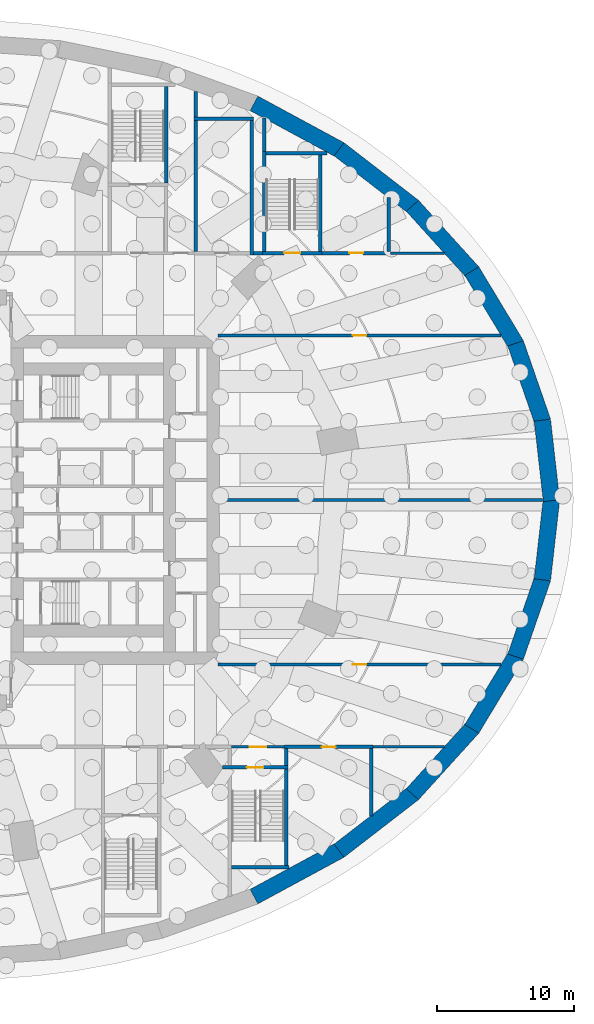
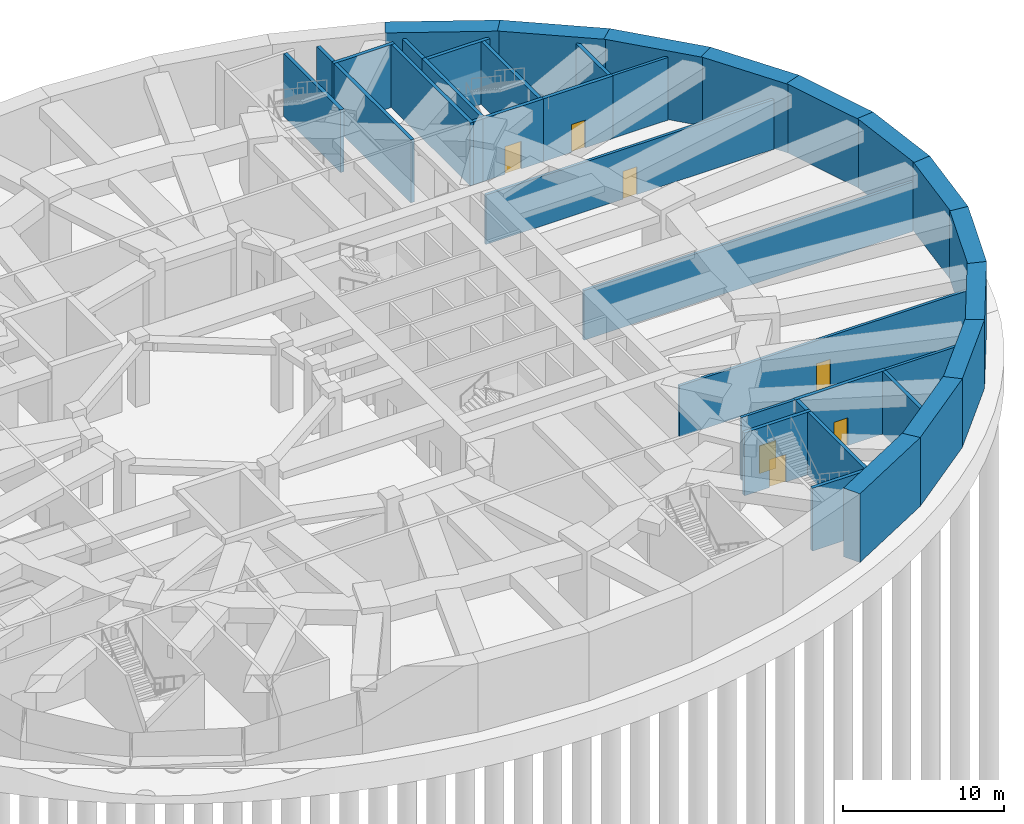
# One storey, part 11 of 18: 37 walls, 7 doors, 7 openings.
"""IFC4 building model written with IfcOpenShell, lengths in metres."""

from ifc_helpers import new_model, si_unit, direction, frame, frame_2d, origin, place, context, subcontext, project, spatial, rectangle, extrude, material, layer, layer_set, type_object, element, fill, save


model = new_model("IFC4")

# Units and contexts
model_context = context("Model", 3, precision=1e-05, world=origin(), true_north=direction((0.0, 1.0)))
body_context = subcontext(model_context, "Body", "Model", "MODEL_VIEW")
ifc_project = project(units=[si_unit("LENGTHUNIT", "METRE"), si_unit("AREAUNIT", "SQUARE_METRE"), si_unit("VOLUMEUNIT", "CUBIC_METRE"), si_unit("PLANEANGLEUNIT", "RADIAN"), si_unit("MASSUNIT", "GRAM", prefix="KILO")], contexts=[model_context])

# Site, building, storey
site_placement = place(None, origin())
site = spatial("IfcSite", under=ifc_project, at=site_placement, CompositionType="ELEMENT")
building_placement = place(site_placement, origin())
building = spatial("IfcBuilding", under=site, at=building_placement, Name="Taillehof Tower", CompositionType="ELEMENT")
storey_placement = place(building_placement, frame((0.0, 0.0, -10.39990234375)))
storey = spatial("IfcBuildingStorey", under=building, at=storey_placement, Name="B2", CompositionType="ELEMENT", Elevation=-10.39990234375)

# Wall, opening, door
ifc_material_1 = material(Name="Calcium silicate blockwork", Category="masonry")
ifc_layer_1 = layer(ifc_material_1, 0.199951171875)
ifc_layer_set_1 = layer_set([ifc_layer_1], Name="Compartment wall EI 60 200 mm")
wall_type_1 = type_object("IfcWallType", Name="Compartment wall EI 60 200 mm", PredefinedType="PARTITIONING", material=ifc_layer_set_1)
wall_1_placement = place(storey_placement, frame((20.074951171875, -18.0, 0.0), z_axis=(0.0, 0.0, 1.0), x_axis=(1.0, 0.0, 0.0)))
wall_1 = element("IfcWall", 1, at=wall_1_placement, inside=storey, type_object=wall_type_1, Name="Wall B2-14 / B2-29", PredefinedType="PARTITIONING", context=body_context, shape_type="SweptSolid", body=[
    extrude(rectangle(XDim=3.85009765625, YDim=0.199951171875, at=frame_2d((1.925048828125, 0.0))), origin(), (0.0, 0.0, 1.0), 4.75),
])
opening_1_placement = place(wall_1_placement, frame((1.324951171875, 0.0, 0.0)))
opening_1 = element("IfcOpeningElement", 2, at=opening_1_placement, cuts=wall_1, Name="Opening DB250", PredefinedType="OPENING", context=body_context, shape_type="SweptSolid", body=[
    extrude(rectangle(XDim=1.199951171875, YDim=2.10009765625, at=frame_2d((0.60009765625, 1.050048828125))), frame((0.0, 0.10986328125, 0.0), z_axis=(0.0, -1.0, 0.0), x_axis=(1.0, 0.0, 0.0)), (0.0, 0.0, 1.0), 0.219970703125),
])
ifc_material_2 = material(Name="Hollow metal door set")
door_type_1 = type_object("IfcDoorType", Name="Single door 1200 x 2100 FD60S", OperationType="SINGLE_SWING_LEFT", PredefinedType="DOOR", material=ifc_material_2)
door_1_placement = place(opening_1_placement, origin())
door_1 = element("IfcDoor", 3, at=door_1_placement, inside=storey, type_object=door_type_1, Name="Door DB250", OperationType="SINGLE_SWING_RIGHT", OverallHeight=2.10009765625, OverallWidth=1.199951171875, PredefinedType="DOOR", context=body_context, shape_type="SweptSolid", body=[
    extrude(rectangle(XDim=1.199951171875, YDim=2.10009765625, at=frame_2d((0.60009765625, 1.050048828125))), frame((0.0, 0.02490234375, 0.0), z_axis=(0.0, -1.0, 0.0), x_axis=(1.0, 0.0, 0.0)), (0.0, 0.0, 1.0), 0.050048828125),
])
fill(opening_1, door_1)

# Wall
wall_2_placement = place(storey_placement, frame((30.39990234375, -18.0, 0.0), z_axis=(0.0, 0.0, 1.0), x_axis=(1.0, 0.0, 0.0)))
element("IfcWall", 4, at=wall_2_placement, inside=storey, type_object=wall_type_1, Name="Wall B2-14 / B2-31", PredefinedType="PARTITIONING", context=body_context, shape_type="SweptSolid", body=[
    extrude(rectangle(XDim=5.20556640625, YDim=0.199951171875, at=frame_2d((2.602783203125, 0.0))), origin(), (0.0, 0.0, 1.0), 4.75),
])

# Wall, opening, door
wall_3_placement = place(storey_placement, frame((19.10009765625, -12.0, 0.0), z_axis=(0.0, 0.0, 1.0), x_axis=(1.0, 0.0, 0.0)))
wall_3 = element("IfcWall", 5, at=wall_3_placement, inside=storey, type_object=wall_type_1, Name="Wall B2-14 / B2-33", PredefinedType="PARTITIONING", context=body_context, shape_type="SweptSolid", body=[
    extrude(rectangle(XDim=20.625, YDim=0.199951171875, at=frame_2d((10.3125, 0.0))), origin(), (0.0, 0.0, 1.0), 3.849853515625),
])
opening_2_placement = place(wall_3_placement, frame((9.81298828125, 0.0, 0.0)))
opening_2 = element("IfcOpeningElement", 6, at=opening_2_placement, cuts=wall_3, Name="Opening DB258", PredefinedType="OPENING", context=body_context, shape_type="SweptSolid", body=[
    extrude(rectangle(XDim=1.0, YDim=2.10009765625, at=frame_2d((0.5, 1.050048828125))), frame((0.0, 0.10986328125, 0.0), z_axis=(0.0, -1.0, 0.0), x_axis=(1.0, 0.0, 0.0)), (0.0, 0.0, 1.0), 0.219970703125),
])
ifc_material_3 = material(Name="Hollow metal door set")
door_type_2 = type_object("IfcDoorType", Name="Single door 1000 x 2100 FD60S", OperationType="SINGLE_SWING_LEFT", PredefinedType="DOOR", material=ifc_material_3)
door_2_placement = place(opening_2_placement, origin())
door_2 = element("IfcDoor", 7, at=door_2_placement, inside=storey, type_object=door_type_2, Name="Door DB258", OperationType="SINGLE_SWING_LEFT", OverallHeight=2.10009765625, OverallWidth=1.0, PredefinedType="DOOR", context=body_context, shape_type="SweptSolid", body=[
    extrude(rectangle(XDim=1.0, YDim=2.10009765625, at=frame_2d((0.5, 1.050048828125))), frame((0.0, 0.02490234375, 0.0), z_axis=(0.0, -1.0, 0.0), x_axis=(1.0, 0.0, 0.0)), (0.0, 0.0, 1.0), 0.050048828125),
])
fill(opening_2, door_2)

# Wall
wall_4_placement = place(storey_placement, frame((19.197998046875, 0.0, 0.0), z_axis=(0.0, 0.0, 1.0), x_axis=(1.0, 0.0, 0.0)))
element("IfcWall", 8, at=wall_4_placement, inside=storey, type_object=wall_type_1, Name="Wall B2-32 / B2-33", PredefinedType="PARTITIONING", context=body_context, shape_type="SweptSolid", body=[
    extrude(rectangle(XDim=23.5458984375, YDim=0.199951171875, at=frame_2d((11.77294921875, 0.0))), origin(), (0.0, 0.0, 1.0), 3.75),
])

# Wall, opening, door
wall_5_placement = place(storey_placement, frame((19.10009765625, 12.0, 0.0), z_axis=(0.0, 0.0, 1.0), x_axis=(1.0, 0.0, 0.0)))
wall_5 = element("IfcWall", 9, at=wall_5_placement, inside=storey, type_object=wall_type_1, Name="Wall B2-13 / B2-32", PredefinedType="PARTITIONING", context=body_context, shape_type="SweptSolid", body=[
    extrude(rectangle(XDim=20.625, YDim=0.199951171875, at=frame_2d((10.3125, 0.0))), origin(), (0.0, 0.0, 1.0), 3.75),
])
opening_3_placement = place(wall_5_placement, frame((9.81298828125, 0.0, 0.0)))
opening_3 = element("IfcOpeningElement", 10, at=opening_3_placement, cuts=wall_5, Name="Opening DB263", PredefinedType="OPENING", context=body_context, shape_type="SweptSolid", body=[
    extrude(rectangle(XDim=1.0, YDim=2.10009765625, at=frame_2d((0.5, 1.050048828125))), frame((0.0, 0.10986328125, 0.0), z_axis=(0.0, -1.0, 0.0), x_axis=(1.0, 0.0, 0.0)), (0.0, 0.0, 1.0), 0.219970703125),
])
door_3_placement = place(opening_3_placement, origin())
door_3 = element("IfcDoor", 11, at=door_3_placement, inside=storey, type_object=door_type_2, Name="Door DB263", OperationType="SINGLE_SWING_LEFT", OverallHeight=2.10009765625, OverallWidth=1.0, PredefinedType="DOOR", context=body_context, shape_type="SweptSolid", body=[
    extrude(rectangle(XDim=1.0, YDim=2.10009765625, at=frame_2d((0.5, 1.050048828125))), frame((0.0, 0.02490234375, 0.0), z_axis=(0.0, -1.0, 0.0), x_axis=(1.0, 0.0, 0.0)), (0.0, 0.0, 1.0), 0.050048828125),
])
fill(opening_3, door_3)

# Walls
wall_6_placement = place(storey_placement, frame((31.64990234375, 18.0, 0.0), z_axis=(0.0, 0.0, 1.0), x_axis=(1.0, 0.0, 0.0)))
element("IfcWall", 12, at=wall_6_placement, inside=storey, type_object=wall_type_1, Name="Wall B2-13 / B2-22", PredefinedType="PARTITIONING", context=body_context, shape_type="SweptSolid", body=[
    extrude(rectangle(XDim=3.95556640625, YDim=0.199951171875, at=frame_2d((1.977783203125, 0.0))), origin(), (0.0, 0.0, 1.0), 4.75),
])
ifc_material_4 = material(Name="Concrete C35/45", Category="concrete")
ifc_layer_2 = layer(ifc_material_4, 1.199951171875)
ifc_layer_set_2 = layer_set([ifc_layer_2], Name="Diaphragm wall 1200")
wall_type_2 = type_object("IfcWallType", Name="Diaphragm wall 1200", PredefinedType="USERDEFINED", material=ifc_layer_set_2)
wall_7_placement = place(storey_placement, frame((43.402099609375, -0.05224609375, 0.0), z_axis=(0.0, 0.0, 1.0), x_axis=(-0.112525170728, 0.993648874579, 0.0)))
element("IfcWall", 13, at=wall_7_placement, inside=storey, type_object=wall_type_2, Name="Diaphragm wall DW01", ObjectType="Retaining wall", PredefinedType="USERDEFINED", context=body_context, shape_type="SweptSolid", body=[
    extrude(rectangle(XDim=5.912353515625, YDim=1.199951171875, at=frame_2d((2.9560546875, 0.0))), origin(), (0.0, 0.0, 1.0), 5.199951171875),
])
wall_8_placement = place(storey_placement, frame((42.760009765625, 5.720703125, 0.0), z_axis=(0.0, 0.0, 1.0), x_axis=(-0.327626042927, 0.944807480917, 0.0)))
element("IfcWall", 14, at=wall_8_placement, inside=storey, type_object=wall_type_2, Name="Diaphragm wall DW02", ObjectType="Retaining wall", PredefinedType="USERDEFINED", context=body_context, shape_type="SweptSolid", body=[
    extrude(rectangle(XDim=6.034423828125, YDim=1.199951171875, at=frame_2d((3.01708984375, 0.0))), origin(), (0.0, 0.0, 1.0), 5.199951171875),
])
wall_9_placement = place(storey_placement, frame((40.827392578125, 11.32763671875, 0.0), z_axis=(0.0, 0.0, 1.0), x_axis=(-0.516691596258, 0.856171591655, 0.0)))
element("IfcWall", 15, at=wall_9_placement, inside=storey, type_object=wall_type_2, Name="Diaphragm wall DW03", ObjectType="Retaining wall", PredefinedType="USERDEFINED", context=body_context, shape_type="SweptSolid", body=[
    extrude(rectangle(XDim=6.25732421875, YDim=1.199951171875, at=frame_2d((3.128662109375, 0.0))), origin(), (0.0, 0.0, 1.0), 5.199951171875),
])
wall_10_placement = place(storey_placement, frame((37.65673828125, 16.601318359375, 0.0), z_axis=(0.0, 0.0, 1.0), x_axis=(-0.671487423502, 0.741015951299, 0.0)))
element("IfcWall", 16, at=wall_10_placement, inside=storey, type_object=wall_type_2, Name="Diaphragm wall DW04", ObjectType="Retaining wall", PredefinedType="USERDEFINED", context=body_context, shape_type="SweptSolid", body=[
    extrude(rectangle(XDim=6.545166015625, YDim=1.199951171875, at=frame_2d((3.2724609375, 0.0))), origin(), (0.0, 0.0, 1.0), 5.199951171875),
])
wall_11_placement = place(storey_placement, frame((33.338623046875, 21.38037109375, 0.0), z_axis=(0.0, 0.0, 1.0), x_axis=(-0.791286567459, 0.611445474396, 0.0)))
element("IfcWall", 17, at=wall_11_placement, inside=storey, type_object=wall_type_2, Name="Diaphragm wall DW05", ObjectType="Retaining wall", PredefinedType="USERDEFINED", context=body_context, shape_type="SweptSolid", body=[
    extrude(rectangle(XDim=6.85693359375, YDim=1.199951171875, at=frame_2d((3.428466796875, 0.0))), origin(), (0.0, 0.0, 1.0), 5.199951171875),
])
for number, where, z_axis, x_axis, name in (
    (18, (28.00048828125, 25.51611328125, 0.0), (0.0, 0.0, 1.0), (-0.879519330959, 0.475863159394, 0.0), "Diaphragm wall DW06"),
    (19, (21.7080078125, -28.920654296875, 0.0), (0.0, 0.0, 1.0), (0.879519330959, 0.475863159394, 0.0), "Diaphragm wall DW31"),
):
    element("IfcWall", number, at=place(storey_placement, frame(where, z_axis=z_axis, x_axis=x_axis)), inside=storey, type_object=wall_type_2, Name=name, ObjectType="Retaining wall", PredefinedType="USERDEFINED", context=body_context, shape_type="SweptSolid", body=[
        extrude(rectangle(XDim=7.154541015625, YDim=1.199951171875, at=frame_2d((3.5771484375, 0.0))), origin(), (0.0, 0.0, 1.0), 5.199951171875),
    ])
wall_12_placement = place(storey_placement, frame((27.912841796875, -25.572998046875, 0.0), z_axis=(0.0, 0.0, 1.0), x_axis=(0.791286567459, 0.611445474396, 0.0)))
element("IfcWall", 20, at=wall_12_placement, inside=storey, type_object=wall_type_2, Name="Diaphragm wall DW32", ObjectType="Retaining wall", PredefinedType="USERDEFINED", context=body_context, shape_type="SweptSolid", body=[
    extrude(rectangle(XDim=6.85693359375, YDim=1.199951171875, at=frame_2d((3.428466796875, 0.0))), origin(), (0.0, 0.0, 1.0), 5.199951171875),
])
wall_13_placement = place(storey_placement, frame((33.26171875, -21.451416015625, 0.0), z_axis=(0.0, 0.0, 1.0), x_axis=(0.671487423502, 0.741015951299, 0.0)))
element("IfcWall", 21, at=wall_13_placement, inside=storey, type_object=wall_type_2, Name="Diaphragm wall DW33", ObjectType="Retaining wall", PredefinedType="USERDEFINED", context=body_context, shape_type="SweptSolid", body=[
    extrude(rectangle(XDim=6.545166015625, YDim=1.199951171875, at=frame_2d((3.2724609375, 0.0))), origin(), (0.0, 0.0, 1.0), 5.199951171875),
])
wall_14_placement = place(storey_placement, frame((37.59423828125, -16.68505859375, 0.0), z_axis=(0.0, 0.0, 1.0), x_axis=(0.516691596258, 0.856171591655, 0.0)))
element("IfcWall", 22, at=wall_14_placement, inside=storey, type_object=wall_type_2, Name="Diaphragm wall DW34", ObjectType="Retaining wall", PredefinedType="USERDEFINED", context=body_context, shape_type="SweptSolid", body=[
    extrude(rectangle(XDim=6.25732421875, YDim=1.199951171875, at=frame_2d((3.128662109375, 0.0))), origin(), (0.0, 0.0, 1.0), 5.199951171875),
])
wall_15_placement = place(storey_placement, frame((40.782958984375, -11.422119140625, 0.0), z_axis=(0.0, 0.0, 1.0), x_axis=(0.327626042927, 0.944807480917, 0.0)))
element("IfcWall", 23, at=wall_15_placement, inside=storey, type_object=wall_type_2, Name="Diaphragm wall DW35", ObjectType="Retaining wall", PredefinedType="USERDEFINED", context=body_context, shape_type="SweptSolid", body=[
    extrude(rectangle(XDim=6.034423828125, YDim=1.199951171875, at=frame_2d((3.01708984375, 0.0))), origin(), (0.0, 0.0, 1.0), 5.199951171875),
])
wall_16_placement = place(storey_placement, frame((42.73681640625, -5.822509765625, 0.0), z_axis=(0.0, 0.0, 1.0), x_axis=(0.112525170728, 0.993648874579, 0.0)))
element("IfcWall", 24, at=wall_16_placement, inside=storey, type_object=wall_type_2, Name="Diaphragm wall DW36", ObjectType="Retaining wall", PredefinedType="USERDEFINED", context=body_context, shape_type="SweptSolid", body=[
    extrude(rectangle(XDim=5.912353515625, YDim=1.199951171875, at=frame_2d((2.9560546875, 0.0))), origin(), (0.0, 0.0, 1.0), 5.199951171875),
])

# Wall, opening, door
ifc_material_5 = material(Name="Calcium silicate blockwork", Category="masonry")
ifc_layer_3 = layer(ifc_material_5, 0.25)
ifc_layer_set_3 = layer_set([ifc_layer_3], Name="Fire-resisting wall EI 120 250 mm")
wall_type_3 = type_object("IfcWallType", Name="Fire-resisting wall EI 120 250 mm", PredefinedType="PARTITIONING", material=ifc_layer_set_3)
wall_17_placement = place(storey_placement, frame((23.925048828125, -18.0, 0.0), z_axis=(0.0, 0.0, 1.0), x_axis=(1.0, 0.0, 0.0)))
wall_17 = element("IfcWall", 25, at=wall_17_placement, inside=storey, type_object=wall_type_3, Name="Wall B2-14 / B2-30", PredefinedType="PARTITIONING", context=body_context, shape_type="SweptSolid", body=[
    extrude(rectangle(XDim=6.474853515625, YDim=0.25, at=frame_2d((3.2373046875, 0.0))), origin(), (0.0, 0.0, 1.0), 4.75),
])
opening_4_placement = place(wall_17_placement, frame((2.738037109375, 0.0, 0.0)))
opening_4 = element("IfcOpeningElement", 26, at=opening_4_placement, cuts=wall_17, Name="Opening DB251", PredefinedType="OPENING", context=body_context, shape_type="SweptSolid", body=[
    extrude(rectangle(XDim=1.0, YDim=2.10009765625, at=frame_2d((0.5, 1.050048828125))), frame((0.0, 0.135009765625, 0.0), z_axis=(0.0, -1.0, 0.0), x_axis=(1.0, 0.0, 0.0)), (0.0, 0.0, 1.0), 0.27001953125),
])
ifc_material_6 = material(Name="Hollow metal door set")
door_type_3 = type_object("IfcDoorType", Name="Single door 1000 x 2100 FD120S", OperationType="SINGLE_SWING_LEFT", PredefinedType="DOOR", material=ifc_material_6)
door_4_placement = place(opening_4_placement, origin())
door_4 = element("IfcDoor", 27, at=door_4_placement, inside=storey, type_object=door_type_3, Name="Door DB251", OperationType="SINGLE_SWING_LEFT", OverallHeight=2.10009765625, OverallWidth=1.0, PredefinedType="DOOR", context=body_context, shape_type="SweptSolid", body=[
    extrude(rectangle(XDim=1.0, YDim=2.10009765625, at=frame_2d((0.5, 1.050048828125))), frame((0.0, 0.02490234375, 0.0), z_axis=(0.0, -1.0, 0.0), x_axis=(1.0, 0.0, 0.0)), (0.0, 0.0, 1.0), 0.050048828125),
])
fill(opening_4, door_4)

# Wall
wall_18_placement = place(storey_placement, frame((21.675048828125, 18.0, 0.0), z_axis=(0.0, 0.0, 1.0), x_axis=(1.0, 0.0, 0.0)))
element("IfcWall", 28, at=wall_18_placement, inside=storey, type_object=wall_type_3, Name="Wall B2-13 / B2-20", PredefinedType="PARTITIONING", context=body_context, shape_type="SweptSolid", body=[
    extrude(rectangle(XDim=0.64990234375, YDim=0.25, at=frame_2d((0.324951171875, 0.0))), origin(), (0.0, 0.0, 1.0), 4.75),
])

# Wall, opening, door
wall_19_placement = place(storey_placement, frame((26.675048828125, 18.0, 0.0), z_axis=(0.0, 0.0, 1.0), x_axis=(1.0, 0.0, 0.0)))
wall_19 = element("IfcWall", 29, at=wall_19_placement, inside=storey, type_object=wall_type_3, Name="Wall B2-13 / B2-21", PredefinedType="PARTITIONING", context=body_context, shape_type="SweptSolid", body=[
    extrude(rectangle(XDim=4.974853515625, YDim=0.25, at=frame_2d((2.4873046875, 0.0))), origin(), (0.0, 0.0, 1.0), 4.75),
])
opening_5_placement = place(wall_19_placement, frame((1.988037109375, 0.0, 0.0)))
opening_5 = element("IfcOpeningElement", 30, at=opening_5_placement, cuts=wall_19, Name="Opening DB277", PredefinedType="OPENING", context=body_context, shape_type="SweptSolid", body=[
    extrude(rectangle(XDim=1.0, YDim=2.10009765625, at=frame_2d((0.5, 1.050048828125))), frame((0.0, 0.135009765625, 0.0), z_axis=(0.0, -1.0, 0.0), x_axis=(1.0, 0.0, 0.0)), (0.0, 0.0, 1.0), 0.27001953125),
])
door_5_placement = place(opening_5_placement, origin())
door_5 = element("IfcDoor", 31, at=door_5_placement, inside=storey, type_object=door_type_3, Name="Door DB277", OperationType="SINGLE_SWING_RIGHT", OverallHeight=2.10009765625, OverallWidth=1.0, PredefinedType="DOOR", context=body_context, shape_type="SweptSolid", body=[
    extrude(rectangle(XDim=1.0, YDim=2.10009765625, at=frame_2d((0.5, 1.050048828125))), frame((0.0, 0.02490234375, 0.0), z_axis=(0.0, -1.0, 0.0), x_axis=(1.0, 0.0, 0.0)), (0.0, 0.0, 1.0), 0.050048828125),
])
fill(opening_5, door_5)

# Walls
wall_20_placement = place(storey_placement, frame((17.324951171875, 27.7900390625, 0.0), z_axis=(0.0, 0.0, 1.0), x_axis=(1.0, 0.0, 0.0)))
element("IfcWall", 32, at=wall_20_placement, inside=storey, type_object=wall_type_3, Name="Wall B2-19 / B2-20", PredefinedType="PARTITIONING", context=body_context, shape_type="SweptSolid", body=[
    extrude(rectangle(XDim=4.35009765625, YDim=0.25, at=frame_2d((2.175048828125, 0.0))), origin(), (0.0, 0.0, 1.0), 4.75),
])
wall_21_placement = place(storey_placement, frame((17.449951171875, 18.125, 0.0), z_axis=(0.0, 0.0, 1.0), x_axis=(0.0, 1.0, 0.0)))
element("IfcWall", 33, at=wall_21_placement, inside=storey, type_object=wall_type_3, Name="Wall B2-18 / B2-19", PredefinedType="PARTITIONING", context=body_context, shape_type="SweptSolid", body=[
    extrude(rectangle(XDim=9.5400390625, YDim=0.25, at=frame_2d((4.77001953125, 0.0))), origin(), (0.0, 0.0, 1.0), 4.75),
])
wall_22_placement = place(storey_placement, frame((17.449951171875, 27.9150390625, 0.0), z_axis=(0.0, 0.0, 1.0), x_axis=(0.0, 1.0, 0.0)))
element("IfcWall", 34, at=wall_22_placement, inside=storey, type_object=wall_type_3, Name="Wall B2-18 / B2-20", PredefinedType="PARTITIONING", context=body_context, shape_type="SweptSolid", body=[
    extrude(rectangle(XDim=1.887939453125, YDim=0.25, at=frame_2d((0.94384765625, 0.0))), origin(), (0.0, 0.0, 1.0), 4.75),
])
wall_23_placement = place(storey_placement, frame((21.550048828125, 17.875, 0.0), z_axis=(0.0, 0.0, 1.0), x_axis=(0.0, 1.0, 0.0)))
element("IfcWall", 35, at=wall_23_placement, inside=storey, type_object=wall_type_3, Name="Wall B2-19 / B2-20", PredefinedType="PARTITIONING", context=body_context, shape_type="SweptSolid", body=[
    extrude(rectangle(XDim=9.7900390625, YDim=0.25, at=frame_2d((4.89501953125, 0.0))), origin(), (0.0, 0.0, 1.0), 4.75),
])
wall_24_placement = place(storey_placement, frame((22.449951171875, 25.4150390625, 0.0), z_axis=(0.0, 0.0, 1.0), x_axis=(0.0, 1.0, 0.0)))
element("IfcWall", 36, at=wall_24_placement, inside=storey, type_object=wall_type_3, Name="Wall B2-20 / B2-21", PredefinedType="PARTITIONING", context=body_context, shape_type="SweptSolid", body=[
    extrude(rectangle(XDim=2.43505859375, YDim=0.25, at=frame_2d((1.217529296875, 0.0))), origin(), (0.0, 0.0, 1.0), 4.75),
])
wall_25_placement = place(storey_placement, frame((24.050048828125, -19.375, 0.0), z_axis=(0.0, 0.0, 1.0), x_axis=(0.0, 1.0, 0.0)))
element("IfcWall", 37, at=wall_25_placement, inside=storey, type_object=wall_type_3, Name="Wall B2-29 / B2-30", PredefinedType="PARTITIONING", context=body_context, shape_type="SweptSolid", body=[
    extrude(rectangle(XDim=1.25, YDim=0.25, at=frame_2d((0.625, 0.0))), origin(), (0.0, 0.0, 1.0), 4.75),
])
wall_26_placement = place(storey_placement, frame((30.27490234375, -23.025390625, 0.0), z_axis=(0.0, 0.0, 1.0), x_axis=(0.0, 1.0, 0.0)))
element("IfcWall", 38, at=wall_26_placement, inside=storey, type_object=wall_type_3, Name="Wall B2-30 / B2-31", PredefinedType="PARTITIONING", context=body_context, shape_type="SweptSolid", body=[
    extrude(rectangle(XDim=4.900390625, YDim=0.25, at=frame_2d((2.4501953125, 0.0))), origin(), (0.0, 0.0, 1.0), 4.75),
])
wall_27_placement = place(storey_placement, frame((31.52490234375, 18.125, 0.0), z_axis=(0.0, 0.0, 1.0), x_axis=(0.0, 1.0, 0.0)))
element("IfcWall", 39, at=wall_27_placement, inside=storey, type_object=wall_type_3, Name="Wall B2-21 / B2-22", PredefinedType="PARTITIONING", context=body_context, shape_type="SweptSolid", body=[
    extrude(rectangle(XDim=3.9345703125, YDim=0.25, at=frame_2d((1.96728515625, 0.0))), origin(), (0.0, 0.0, 1.0), 4.75),
])
ifc_material_7 = material(Name="Concrete C40/50", Category="concrete")
ifc_layer_4 = layer(ifc_material_7, 0.25)
ifc_layer_set_4 = layer_set([ifc_layer_4], Name="Stair wall EI 120 250 mm")
wall_type_4 = type_object("IfcWallType", Name="Stair wall EI 120 250 mm", PredefinedType="SOLIDWALL", material=ifc_layer_set_4)
wall_28_placement = place(storey_placement, frame((20.074951171875, -26.7900390625, 0.0), z_axis=(0.0, 0.0, 1.0), x_axis=(1.0, 0.0, 0.0)))
element("IfcWall", 40, at=wall_28_placement, inside=storey, type_object=wall_type_4, Name="Wall B2-04 / B2-30", PredefinedType="SOLIDWALL", context=body_context, shape_type="SweptSolid", body=[
    extrude(rectangle(XDim=4.202880859375, YDim=0.25, at=frame_2d((2.1015625, 0.0))), origin(), (0.0, 0.0, 1.0), 4.75),
])

# Wall, opening, door
wall_29_placement = place(storey_placement, frame((19.4033203125, -19.5, 0.0), z_axis=(0.0, 0.0, 1.0), x_axis=(1.0, 0.0, 0.0)))
wall_29 = element("IfcWall", 41, at=wall_29_placement, inside=storey, type_object=wall_type_4, Name="Wall B2-04 / B2-29", PredefinedType="SOLIDWALL", context=body_context, shape_type="SweptSolid", body=[
    extrude(rectangle(XDim=4.771728515625, YDim=0.25, at=frame_2d((2.3857421875, 0.0))), origin(), (0.0, 0.0, 1.0), 4.75),
])
opening_6_placement = place(wall_29_placement, frame((1.78564453125, 0.0, 0.0)))
opening_6 = element("IfcOpeningElement", 42, at=opening_6_placement, cuts=wall_29, Name="Opening DB242", PredefinedType="OPENING", context=body_context, shape_type="SweptSolid", body=[
    extrude(rectangle(XDim=1.199951171875, YDim=2.10009765625, at=frame_2d((0.60009765625, 1.050048828125))), frame((0.0, 0.135009765625, 0.0), z_axis=(0.0, -1.0, 0.0), x_axis=(1.0, 0.0, 0.0)), (0.0, 0.0, 1.0), 0.27001953125),
])
ifc_material_8 = material(Name="Hollow metal door set")
door_type_4 = type_object("IfcDoorType", Name="Single door 1200 x 2100 FD120S", OperationType="SINGLE_SWING_LEFT", PredefinedType="DOOR", material=ifc_material_8)
door_6_placement = place(opening_6_placement, origin())
door_6 = element("IfcDoor", 43, at=door_6_placement, inside=storey, type_object=door_type_4, Name="Door DB242", OperationType="SINGLE_SWING_RIGHT", OverallHeight=2.10009765625, OverallWidth=1.199951171875, PredefinedType="DOOR", context=body_context, shape_type="SweptSolid", body=[
    extrude(rectangle(XDim=1.199951171875, YDim=2.10009765625, at=frame_2d((0.60009765625, 1.050048828125))), frame((0.0, 0.02490234375, 0.0), z_axis=(0.0, -1.0, 0.0), x_axis=(1.0, 0.0, 0.0)), (0.0, 0.0, 1.0), 0.050048828125),
])
fill(opening_6, door_6)

wall_30_placement = place(storey_placement, frame((22.324951171875, 18.0, 0.0), z_axis=(0.0, 0.0, 1.0), x_axis=(1.0, 0.0, 0.0)))
wall_30 = element("IfcWall", 44, at=wall_30_placement, inside=storey, type_object=wall_type_4, Name="Wall B2-05 / B2-13", PredefinedType="SOLIDWALL", context=body_context, shape_type="SweptSolid", body=[
    extrude(rectangle(XDim=4.35009765625, YDim=0.25, at=frame_2d((2.175048828125, 0.0))), origin(), (0.0, 0.0, 1.0), 4.75),
])
opening_7_placement = place(wall_30_placement, frame((1.574951171875, 0.0, 0.0)))
opening_7 = element("IfcOpeningElement", 45, at=opening_7_placement, cuts=wall_30, Name="Opening DB276", PredefinedType="OPENING", context=body_context, shape_type="SweptSolid", body=[
    extrude(rectangle(XDim=1.199951171875, YDim=2.10009765625, at=frame_2d((0.60009765625, 1.050048828125))), frame((0.0, 0.135009765625, 0.0), z_axis=(0.0, -1.0, 0.0), x_axis=(1.0, 0.0, 0.0)), (0.0, 0.0, 1.0), 0.27001953125),
])
door_7_placement = place(opening_7_placement, origin())
door_7 = element("IfcDoor", 46, at=door_7_placement, inside=storey, type_object=door_type_4, Name="Door DB276", OperationType="SINGLE_SWING_LEFT", OverallHeight=2.10009765625, OverallWidth=1.199951171875, PredefinedType="DOOR", context=body_context, shape_type="SweptSolid", body=[
    extrude(rectangle(XDim=1.199951171875, YDim=2.10009765625, at=frame_2d((0.60009765625, 1.050048828125))), frame((0.0, 0.02490234375, 0.0), z_axis=(0.0, -1.0, 0.0), x_axis=(1.0, 0.0, 0.0)), (0.0, 0.0, 1.0), 0.050048828125),
])
fill(opening_7, door_7)

# Walls
wall_31_placement = place(storey_placement, frame((22.574951171875, 25.2900390625, 0.0), z_axis=(0.0, 0.0, 1.0), x_axis=(1.0, 0.0, 0.0)))
element("IfcWall", 47, at=wall_31_placement, inside=storey, type_object=wall_type_4, Name="Wall B2-05 / B2-21", PredefinedType="SOLIDWALL", context=body_context, shape_type="SweptSolid", body=[
    extrude(rectangle(XDim=4.475341796875, YDim=0.25, at=frame_2d((2.23779296875, 0.0))), origin(), (0.0, 0.0, 1.0), 4.75),
])
wall_32_placement = place(storey_placement, frame((15.300048828125, 23.125, 0.0), z_axis=(0.0, 0.0, 1.0), x_axis=(0.0, 1.0, 0.0)))
element("IfcWall", 48, at=wall_32_placement, inside=storey, type_object=wall_type_4, Name="Wall B2-03 / B2-18", PredefinedType="SOLIDWALL", context=body_context, shape_type="SweptSolid", body=[
    extrude(rectangle(XDim=7.0400390625, YDim=0.25, at=frame_2d((3.52001953125, 0.0))), origin(), (0.0, 0.0, 1.0), 4.75),
])
wall_33_placement = place(storey_placement, frame((22.449951171875, 18.125, 0.0), z_axis=(0.0, 0.0, 1.0), x_axis=(0.0, 1.0, 0.0)))
element("IfcWall", 49, at=wall_33_placement, inside=storey, type_object=wall_type_4, Name="Wall B2-05 / B2-20", PredefinedType="SOLIDWALL", context=body_context, shape_type="SweptSolid", body=[
    extrude(rectangle(XDim=7.2900390625, YDim=0.25, at=frame_2d((3.64501953125, 0.0))), origin(), (0.0, 0.0, 1.0), 4.75),
])
for number, where, z_axis, x_axis, name in (
    (50, (24.050048828125, -26.6650390625, 0.0), (0.0, 0.0, 1.0), (0.0, 1.0, 0.0), "Wall B2-04 / B2-30"),
    (51, (26.550048828125, 18.125, 0.0), (0.0, 0.0, 1.0), (0.0, 1.0, 0.0), "Wall B2-05 / B2-21"),
):
    element("IfcWall", number, at=place(storey_placement, frame(where, z_axis=z_axis, x_axis=x_axis)), inside=storey, type_object=wall_type_4, Name=name, PredefinedType="SOLIDWALL", context=body_context, shape_type="SweptSolid", body=[
        extrude(rectangle(XDim=7.0400390625, YDim=0.25, at=frame_2d((3.52001953125, 0.0))), origin(), (0.0, 0.0, 1.0), 4.75),
    ])

save(model, "model.ifc")
